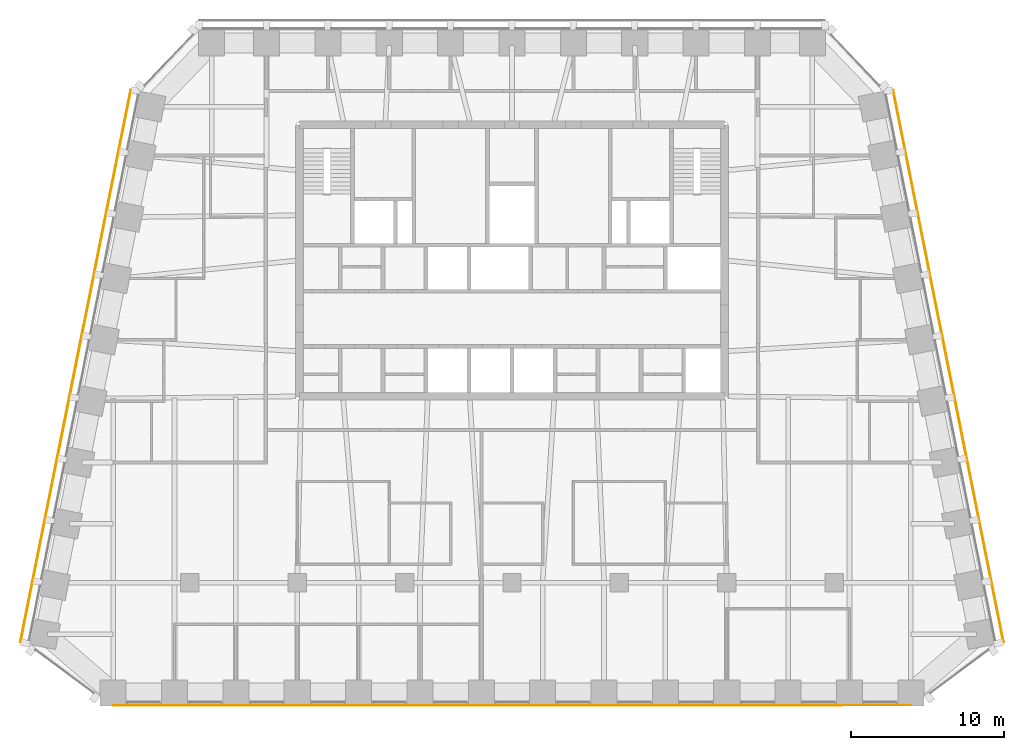
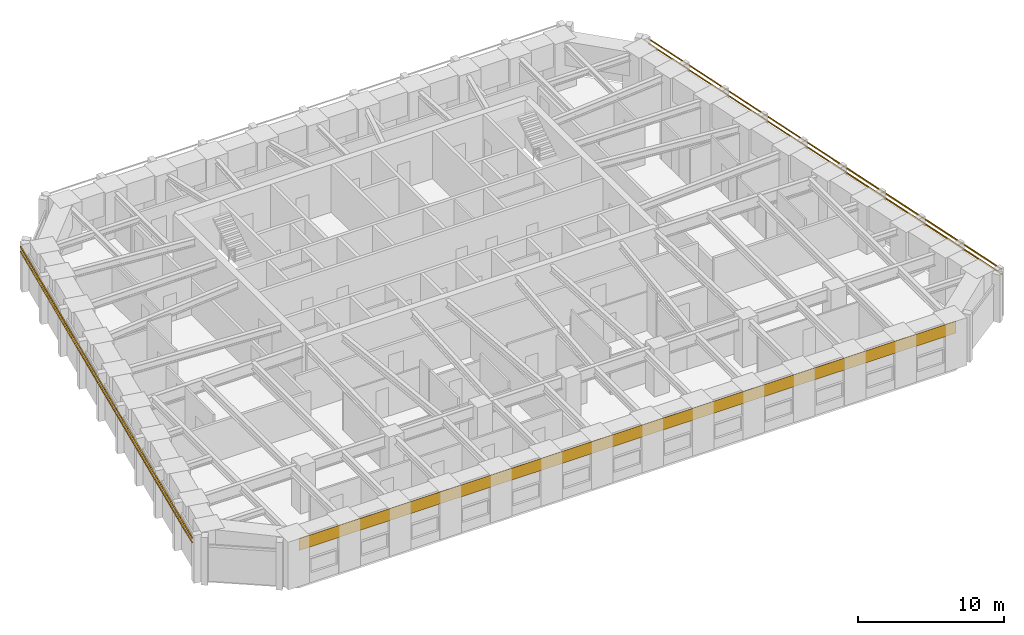
# One storey, part 10 of 11: 4 shading devices, 1 covering.
"""IFC4 building model written with IfcOpenShell, lengths in metres."""

import ifcopenshell
import ifcopenshell.guid

model = None  # the IFC model being written
_history = None  # IfcOwnerHistory: only IFC2X3 demands one
_inside = {}  # id of a spatial element -> (the spatial element, [elements in it])
_under = {}  # id of a project, library or spatial element -> (it, [spatial elements below it])
_declared = {}  # id of a project -> (the project, [libraries it declares])
_typed = {}  # id of a type object -> (the type object, [elements of that type])
_made_of = {}  # id of a material, layer set ... -> (it, [elements and type objects made of it])


def new_model(schema):
    """Start an empty IFC model of exactly this schema.

    Asked for "IFC4X3", IfcOpenShell would pick the latest addendum, in which some entities
    have other attributes; the version numbers below select the first issue.
    IFC2X3 requires an IfcOwnerHistory on every rooted entity: one is made here for all.
    """
    global model, _history
    if schema == "IFC4X3":
        model = ifcopenshell.file(schema_version=(4, 3, 0, 0))
    else:
        model = ifcopenshell.file(schema=schema)
    _inside.clear()
    _under.clear()
    _declared.clear()
    _typed.clear()
    _made_of.clear()
    _history = None
    if model.schema == "IFC2X3":
        org = make("IfcOrganization", Name="unknown")
        user = make(
            "IfcPersonAndOrganization",
            ThePerson=make("IfcPerson", FamilyName="unknown"),
            TheOrganization=org,
        )
        app = make(
            "IfcApplication",
            ApplicationDeveloper=org,
            Version="unknown",
            ApplicationFullName="unknown",
            ApplicationIdentifier="unknown",
        )
        _history = make(
            "IfcOwnerHistory",
            OwningUser=user,
            OwningApplication=app,
            ChangeAction="ADDED",
            CreationDate=0,
        )
    return model


def make(cls, **values):
    """One entity of the class cls with the attributes given. An attribute that is None is left unset."""
    return model.create_entity(
        cls, **{name: value for name, value in values.items() if value is not None}
    )


def rooted(cls, **values):
    """An entity with a GlobalId (a new one), such as an element, a storey or a relation."""
    return make(cls, GlobalId=ifcopenshell.guid.new(), OwnerHistory=_history, **values)


def si_unit(unit_type, name, prefix=None):
    """IfcSIUnit, for example si_unit("LENGTHUNIT", "METRE", prefix="MILLI")."""
    return make("IfcSIUnit", UnitType=unit_type, Prefix=prefix, Name=name)


def assignment(units):
    """IfcUnitAssignment: the units of a project."""
    return None if units is None else make("IfcUnitAssignment", Units=units)


def point(xyz):
    """IfcCartesianPoint."""
    return None if xyz is None else make("IfcCartesianPoint", Coordinates=xyz)


def direction(xyz):
    """IfcDirection."""
    return None if xyz is None else make("IfcDirection", DirectionRatios=xyz)


def frame(location, z_axis=None, x_axis=None):
    """IfcAxis2Placement3D, a coordinate frame: its origin and axes. An axis left out is left unset."""
    return make(
        "IfcAxis2Placement3D",
        Location=point(location),
        Axis=direction(z_axis),
        RefDirection=direction(x_axis),
    )


def frame_2d(location, x_axis=None):
    """IfcAxis2Placement2D, a coordinate frame in the plane: its origin and x axis."""
    return make(
        "IfcAxis2Placement2D", Location=point(location), RefDirection=direction(x_axis)
    )


def origin():
    """The frame at (0, 0, 0) with its axes left unset."""
    return frame((0.0, 0.0, 0.0))


def origin_2d():
    """The frame at (0, 0) in the plane with its x axis left unset."""
    return frame_2d((0.0, 0.0))


def place(relative_to, where):
    """IfcLocalPlacement: puts the frame where relative to a parent placement (None: the world)."""
    return make(
        "IfcLocalPlacement", PlacementRelTo=relative_to, RelativePlacement=where
    )


def context(
    kind, dimensions, precision=None, world=None, true_north=None, identifier=None
):
    """IfcGeometricRepresentationContext, for example the 3D "Model" context."""
    return make(
        "IfcGeometricRepresentationContext",
        ContextIdentifier=identifier,
        ContextType=kind,
        CoordinateSpaceDimension=dimensions,
        Precision=precision,
        WorldCoordinateSystem=world,
        TrueNorth=true_north,
    )


def subcontext(parent, identifier, kind, view, scale=None):
    """IfcGeometricRepresentationSubContext, for example "Body" below "Model"."""
    return make(
        "IfcGeometricRepresentationSubContext",
        ContextIdentifier=identifier,
        ContextType=kind,
        ParentContext=parent,
        TargetScale=scale,
        TargetView=view,
    )


def project(units=None, contexts=None):
    """IfcProject with its units and contexts."""
    return rooted(
        "IfcProject",
        Name="project",
        RepresentationContexts=contexts,
        UnitsInContext=assignment(units),
    )


def spatial(cls, under=None, at=None, **own):
    """A site, building, storey or space (cls), placed at a placement, below another one or the project."""
    s = rooted(cls, ObjectPlacement=at, **own)
    if under is not None:
        _under.setdefault(under.id(), (under, []))[1].append(s)
    return s


def profile(cls, at=None, kind="AREA", **sizes):
    """A parametric profile (cls). Its sizes go by their IFC names, for example OverallWidth=200.0."""
    return make(cls, ProfileType=kind, Position=at, **sizes)


def rectangle(**sizes):
    """IfcRectangleProfileDef."""
    return profile("IfcRectangleProfileDef", **sizes)


def extrude(swept, where, along, depth):
    """IfcExtrudedAreaSolid: the profile swept, set in the frame where, extruded along a direction by depth."""
    return make(
        "IfcExtrudedAreaSolid",
        SweptArea=swept,
        Position=where,
        ExtrudedDirection=direction(along),
        Depth=depth,
    )


def shape(context_of_items, identifier, shape_type, items):
    """IfcShapeRepresentation: the items that make up one representation, for example the "Body"."""
    return make(
        "IfcShapeRepresentation",
        ContextOfItems=context_of_items,
        RepresentationIdentifier=identifier,
        RepresentationType=shape_type,
        Items=items,
    )


def material(Name=None, Category=None):
    """IfcMaterial."""
    return make("IfcMaterial", Name=Name, Category=Category)


def layer(
    of_material, thickness, ventilated=None, Name=None, Category=None, Priority=None
):
    """IfcMaterialLayer: one layer of a wall or slab, of a material (None: an air gap)."""
    return make(
        "IfcMaterialLayer",
        Material=of_material,
        LayerThickness=thickness,
        IsVentilated=ventilated,
        Name=Name,
        Category=Category,
        Priority=Priority,
    )


def layer_set(layers, Name=None):
    """IfcMaterialLayerSet."""
    return make("IfcMaterialLayerSet", MaterialLayers=layers, LayerSetName=Name)


def material_profile(
    of_material, cross_section, Name=None, Category=None, Priority=None
):
    """IfcMaterialProfile: a cross section and its material."""
    return make(
        "IfcMaterialProfile",
        Name=Name,
        Material=of_material,
        Profile=cross_section,
        Priority=Priority,
        Category=Category,
    )


def profile_set(profiles, Name=None, composite=None):
    """IfcMaterialProfileSet."""
    return make(
        "IfcMaterialProfileSet",
        Name=Name,
        MaterialProfiles=profiles,
        CompositeProfile=composite,
    )


def made_of(thing, what):
    """Note that an element or type object is made of a material, layer set ...; save() writes the relation."""
    if what is not None:
        _made_of.setdefault(what.id(), (what, []))[1].append(thing)
    return thing


def type_object(cls, material=None, **own):
    """A type object (cls), such as IfcWallType, which elements share."""
    return made_of(rooted(cls, **own), material)


def element(
    cls,
    number,
    at=None,
    inside=None,
    cuts=None,
    type_object=None,
    material=None,
    context=None,
    identifier="Body",
    shape_type=None,
    held_by="IfcProductDefinitionShape",
    body=None,
    shapes=None,
    **own,
):
    """One element of the class cls, such as IfcWall. Its Tag is "e" and its number.

    at: its placement. inside: the storey or other place that contains it. cuts: it is an
    opening in that element (IfcRelVoidsElement). A single representation is given by context,
    identifier, shape_type and body (its items); several are given by shapes. held_by: the class
    of the entity that holds the representations. save() writes the other relations.
    """
    e = rooted(cls, Tag="e%d" % number, ObjectPlacement=at, **own)
    if body is not None:
        shapes = [shape(context, identifier, shape_type, body)]
    if shapes is not None:
        e.Representation = make(held_by, Representations=shapes)
    if inside is not None:
        _inside.setdefault(inside.id(), (inside, []))[1].append(e)
    if cuts is not None:
        rooted(
            "IfcRelVoidsElement", RelatingBuildingElement=cuts, RelatedOpeningElement=e
        )
    if type_object is not None:
        _typed.setdefault(type_object.id(), (type_object, []))[1].append(e)
    return made_of(e, material)


def aggregate(whole, parts):
    """IfcRelAggregates: a whole, such as a stair, and the parts it consists of."""
    return rooted("IfcRelAggregates", RelatingObject=whole, RelatedObjects=parts)


def save(model, path):
    """Write the relations noted so far, then the file.

    IfcRelAggregates (storeys below a building ...), IfcRelContainedInSpatialStructure (elements
    in a storey), IfcRelDefinesByType, IfcRelAssociatesMaterial and IfcRelDeclares: one each for
    every whole, place, type object, material and project.
    """
    for whole, parts in _under.values():
        aggregate(whole, parts)
    for where, things in _inside.values():
        rooted(
            "IfcRelContainedInSpatialStructure",
            RelatedElements=things,
            RelatingStructure=where,
        )
    for kind, things in _typed.values():
        rooted("IfcRelDefinesByType", RelatedObjects=things, RelatingType=kind)
    for what, things in _made_of.values():
        rooted("IfcRelAssociatesMaterial", RelatedObjects=things, RelatingMaterial=what)
    for by, libraries in _declared.values():
        rooted("IfcRelDeclares", RelatingContext=by, RelatedDefinitions=libraries)
    model.write(path)


model = new_model("IFC4")

# Units and contexts
model_context = context("Model", 3, precision=1e-05, world=origin(), true_north=direction((0.0, 1.0)))
body_context = subcontext(model_context, "Body", "Model", "MODEL_VIEW")
ifc_project = project(units=[si_unit("LENGTHUNIT", "METRE"), si_unit("AREAUNIT", "SQUARE_METRE"), si_unit("VOLUMEUNIT", "CUBIC_METRE"), si_unit("PLANEANGLEUNIT", "RADIAN"), si_unit("MASSUNIT", "GRAM", prefix="KILO")], contexts=[model_context])

# Site, building, storey
site_placement = place(None, origin())
site = spatial("IfcSite", under=ifc_project, at=site_placement, CompositionType="ELEMENT")
building_placement = place(site_placement, origin())
building = spatial("IfcBuilding", under=site, at=building_placement, Name="Isbrekke Arena Tower", CompositionType="ELEMENT")
storey_placement = place(building_placement, frame((0.0, 0.0, 264.0)))
storey = spatial("IfcBuildingStorey", under=building, at=storey_placement, Name="L61", CompositionType="ELEMENT", Elevation=264.0)

# Shading devices
ifc_material_1 = material(Name="Terracotta", Category="masonry")
ifc_material_profile = material_profile(ifc_material_1, rectangle(XDim=0.06005859375, YDim=0.06005859375, at=origin_2d()), Name="BAGUETTE 60X60")
ifc_profile_set = profile_set([ifc_material_profile], Name="Terracotta")
shading_device_type = type_object("IfcShadingDeviceType", Name="BG1 TERRACOTTA BAGUETTE 60 x 60", PredefinedType="USERDEFINED", material=ifc_profile_set)
for number, where, z_axis, x_axis, name in (
    (1, (32.042236328125, -9.87158203125, 3.280029296875), (-0.196114856294, 0.980580931459, 0.0), (-0.980580931459, -0.196114856294, 0.0), "BG1 terracotta baguette E1 L61"),
    (2, (32.042236328125, -9.87158203125, 3.679931640625), (-0.196114856294, 0.980580931459, 0.0), (-0.980580931459, -0.196114856294, 0.0), "BG1 terracotta baguette E2 L61"),
    (3, (-24.84228515625, 26.12841796875, 3.280029296875), (-0.196114856294, -0.980580931459, 0.0), (0.980580931459, -0.196114856294, 0.0), "BG1 terracotta baguette W1 L61"),
    (4, (-24.84228515625, 26.12841796875, 3.679931640625), (-0.196114856294, -0.980580931459, 0.0), (0.980580931459, -0.196114856294, 0.0), "BG1 terracotta baguette W2 L61"),
):
    element("IfcShadingDevice", number, at=place(storey_placement, frame(where, z_axis=z_axis, x_axis=x_axis)), inside=storey, type_object=shading_device_type, Name=name, ObjectType="TERRACOTTA BAGUETTE", PredefinedType="USERDEFINED", context=body_context, shape_type="SweptSolid", body=[
        extrude(rectangle(XDim=0.06005859375, YDim=0.06005859375, at=origin_2d()), origin(), (0.0, 0.0, 1.0), 36.712890625),
    ])

# Covering
ifc_material_2 = material(Name="Pre-patinated copper sheet", Category="metal")
ifc_layer = layer(ifc_material_2, 0.02001953125)
ifc_layer_set = layer_set([ifc_layer], Name="CL1 COPPER CLADDING")
covering_type = type_object("IfcCoveringType", Name="CL1 COPPER CLADDING", PredefinedType="CLADDING", material=ifc_layer_set)
covering_placement = place(storey_placement, frame((0.0, -14.010009765625, 3.0), z_axis=(0.0, 0.0, 1.0), x_axis=(1.0, 0.0, 0.0)))
element("IfcCovering", 5, at=covering_placement, inside=storey, type_object=covering_type, Name="CL1 copper cladding L61", PredefinedType="CLADDING", context=body_context, shape_type="SweptSolid", body=[
    extrude(rectangle(XDim=52.0, YDim=0.02001953125, at=origin_2d()), origin(), (0.0, 0.0, 1.0), 1.0),
])

save(model, "model.ifc")
